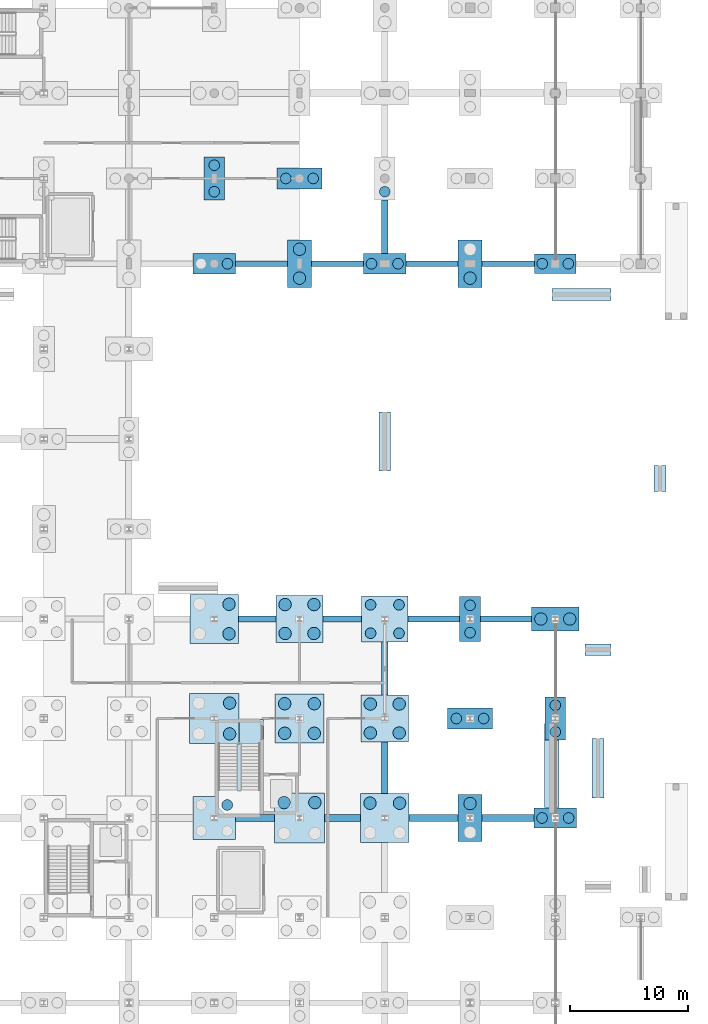
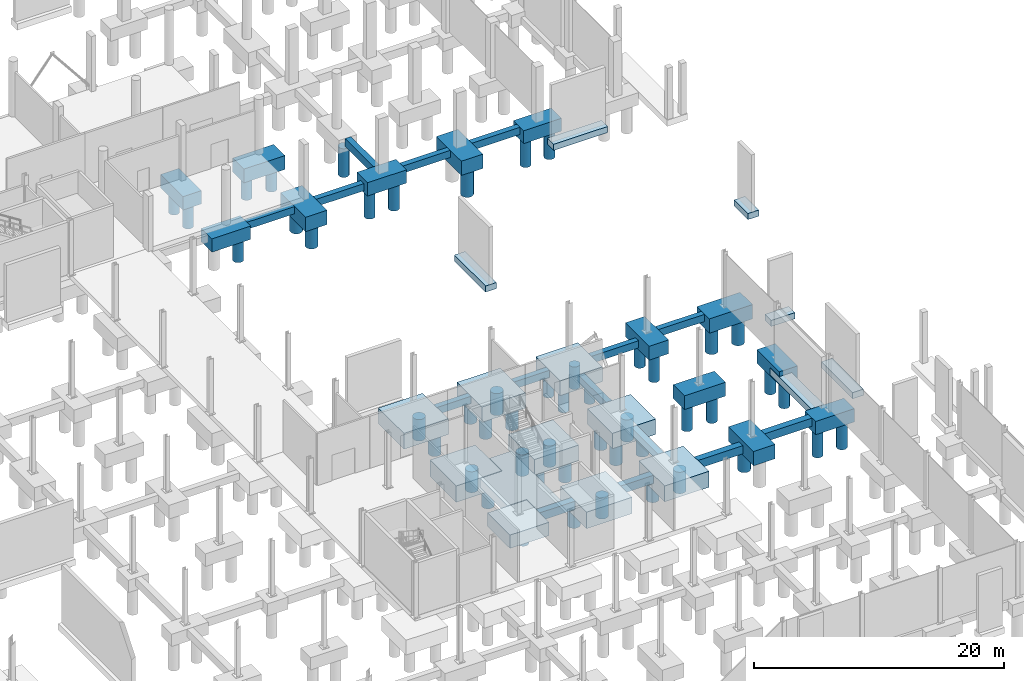
# One storey, part 11 of 61: 49 piles, 44 footings.
"""IFC4 building model written with IfcOpenShell, lengths in metres."""

import ifcopenshell
import ifcopenshell.guid

model = None  # the IFC model being written
_history = None  # IfcOwnerHistory: only IFC2X3 demands one
_inside = {}  # id of a spatial element -> (the spatial element, [elements in it])
_under = {}  # id of a project, library or spatial element -> (it, [spatial elements below it])
_declared = {}  # id of a project -> (the project, [libraries it declares])
_typed = {}  # id of a type object -> (the type object, [elements of that type])
_made_of = {}  # id of a material, layer set ... -> (it, [elements and type objects made of it])


def new_model(schema):
    """Start an empty IFC model of exactly this schema.

    Asked for "IFC4X3", IfcOpenShell would pick the latest addendum, in which some entities
    have other attributes; the version numbers below select the first issue.
    IFC2X3 requires an IfcOwnerHistory on every rooted entity: one is made here for all.
    """
    global model, _history
    if schema == "IFC4X3":
        model = ifcopenshell.file(schema_version=(4, 3, 0, 0))
    else:
        model = ifcopenshell.file(schema=schema)
    _inside.clear()
    _under.clear()
    _declared.clear()
    _typed.clear()
    _made_of.clear()
    _history = None
    if model.schema == "IFC2X3":
        org = make("IfcOrganization", Name="unknown")
        user = make(
            "IfcPersonAndOrganization",
            ThePerson=make("IfcPerson", FamilyName="unknown"),
            TheOrganization=org,
        )
        app = make(
            "IfcApplication",
            ApplicationDeveloper=org,
            Version="unknown",
            ApplicationFullName="unknown",
            ApplicationIdentifier="unknown",
        )
        _history = make(
            "IfcOwnerHistory",
            OwningUser=user,
            OwningApplication=app,
            ChangeAction="ADDED",
            CreationDate=0,
        )
    return model


def make(cls, **values):
    """One entity of the class cls with the attributes given. An attribute that is None is left unset."""
    return model.create_entity(
        cls, **{name: value for name, value in values.items() if value is not None}
    )


def rooted(cls, **values):
    """An entity with a GlobalId (a new one), such as an element, a storey or a relation."""
    return make(cls, GlobalId=ifcopenshell.guid.new(), OwnerHistory=_history, **values)


def si_unit(unit_type, name, prefix=None):
    """IfcSIUnit, for example si_unit("LENGTHUNIT", "METRE", prefix="MILLI")."""
    return make("IfcSIUnit", UnitType=unit_type, Prefix=prefix, Name=name)


def assignment(units):
    """IfcUnitAssignment: the units of a project."""
    return None if units is None else make("IfcUnitAssignment", Units=units)


def point(xyz):
    """IfcCartesianPoint."""
    return None if xyz is None else make("IfcCartesianPoint", Coordinates=xyz)


def direction(xyz):
    """IfcDirection."""
    return None if xyz is None else make("IfcDirection", DirectionRatios=xyz)


def frame(location, z_axis=None, x_axis=None):
    """IfcAxis2Placement3D, a coordinate frame: its origin and axes. An axis left out is left unset."""
    return make(
        "IfcAxis2Placement3D",
        Location=point(location),
        Axis=direction(z_axis),
        RefDirection=direction(x_axis),
    )


def frame_2d(location, x_axis=None):
    """IfcAxis2Placement2D, a coordinate frame in the plane: its origin and x axis."""
    return make(
        "IfcAxis2Placement2D", Location=point(location), RefDirection=direction(x_axis)
    )


def origin():
    """The frame at (0, 0, 0) with its axes left unset."""
    return frame((0.0, 0.0, 0.0))


def origin_2d():
    """The frame at (0, 0) in the plane with its x axis left unset."""
    return frame_2d((0.0, 0.0))


def place(relative_to, where):
    """IfcLocalPlacement: puts the frame where relative to a parent placement (None: the world)."""
    return make(
        "IfcLocalPlacement", PlacementRelTo=relative_to, RelativePlacement=where
    )


def context(
    kind, dimensions, precision=None, world=None, true_north=None, identifier=None
):
    """IfcGeometricRepresentationContext, for example the 3D "Model" context."""
    return make(
        "IfcGeometricRepresentationContext",
        ContextIdentifier=identifier,
        ContextType=kind,
        CoordinateSpaceDimension=dimensions,
        Precision=precision,
        WorldCoordinateSystem=world,
        TrueNorth=true_north,
    )


def subcontext(parent, identifier, kind, view, scale=None):
    """IfcGeometricRepresentationSubContext, for example "Body" below "Model"."""
    return make(
        "IfcGeometricRepresentationSubContext",
        ContextIdentifier=identifier,
        ContextType=kind,
        ParentContext=parent,
        TargetScale=scale,
        TargetView=view,
    )


def project(units=None, contexts=None):
    """IfcProject with its units and contexts."""
    return rooted(
        "IfcProject",
        Name="project",
        RepresentationContexts=contexts,
        UnitsInContext=assignment(units),
    )


def spatial(cls, under=None, at=None, **own):
    """A site, building, storey or space (cls), placed at a placement, below another one or the project."""
    s = rooted(cls, ObjectPlacement=at, **own)
    if under is not None:
        _under.setdefault(under.id(), (under, []))[1].append(s)
    return s


def polyline(points):
    """IfcPolyline through the points."""
    return make("IfcPolyline", Points=[point(p) for p in points])


def profile(cls, at=None, kind="AREA", **sizes):
    """A parametric profile (cls). Its sizes go by their IFC names, for example OverallWidth=200.0."""
    return make(cls, ProfileType=kind, Position=at, **sizes)


def rectangle(**sizes):
    """IfcRectangleProfileDef."""
    return profile("IfcRectangleProfileDef", **sizes)


def circle(**sizes):
    """IfcCircleProfileDef."""
    return profile("IfcCircleProfileDef", **sizes)


def outline(outer, holes=None, kind="AREA"):
    """IfcArbitraryClosedProfileDef: a profile drawn as a closed curve; with holes, ...WithVoids."""
    if holes is None:
        return make("IfcArbitraryClosedProfileDef", ProfileType=kind, OuterCurve=outer)
    return make(
        "IfcArbitraryProfileDefWithVoids",
        ProfileType=kind,
        OuterCurve=outer,
        InnerCurves=holes,
    )


def extrude(swept, where, along, depth):
    """IfcExtrudedAreaSolid: the profile swept, set in the frame where, extruded along a direction by depth."""
    return make(
        "IfcExtrudedAreaSolid",
        SweptArea=swept,
        Position=where,
        ExtrudedDirection=direction(along),
        Depth=depth,
    )


def shape(context_of_items, identifier, shape_type, items):
    """IfcShapeRepresentation: the items that make up one representation, for example the "Body"."""
    return make(
        "IfcShapeRepresentation",
        ContextOfItems=context_of_items,
        RepresentationIdentifier=identifier,
        RepresentationType=shape_type,
        Items=items,
    )


def material(Name=None, Category=None):
    """IfcMaterial."""
    return make("IfcMaterial", Name=Name, Category=Category)


def material_profile(
    of_material, cross_section, Name=None, Category=None, Priority=None
):
    """IfcMaterialProfile: a cross section and its material."""
    return make(
        "IfcMaterialProfile",
        Name=Name,
        Material=of_material,
        Profile=cross_section,
        Priority=Priority,
        Category=Category,
    )


def profile_set(profiles, Name=None, composite=None):
    """IfcMaterialProfileSet."""
    return make(
        "IfcMaterialProfileSet",
        Name=Name,
        MaterialProfiles=profiles,
        CompositeProfile=composite,
    )


def made_of(thing, what):
    """Note that an element or type object is made of a material, layer set ...; save() writes the relation."""
    if what is not None:
        _made_of.setdefault(what.id(), (what, []))[1].append(thing)
    return thing


def type_object(cls, material=None, **own):
    """A type object (cls), such as IfcWallType, which elements share."""
    return made_of(rooted(cls, **own), material)


def element(
    cls,
    number,
    at=None,
    inside=None,
    cuts=None,
    type_object=None,
    material=None,
    context=None,
    identifier="Body",
    shape_type=None,
    held_by="IfcProductDefinitionShape",
    body=None,
    shapes=None,
    **own,
):
    """One element of the class cls, such as IfcWall. Its Tag is "e" and its number.

    at: its placement. inside: the storey or other place that contains it. cuts: it is an
    opening in that element (IfcRelVoidsElement). A single representation is given by context,
    identifier, shape_type and body (its items); several are given by shapes. held_by: the class
    of the entity that holds the representations. save() writes the other relations.
    """
    e = rooted(cls, Tag="e%d" % number, ObjectPlacement=at, **own)
    if body is not None:
        shapes = [shape(context, identifier, shape_type, body)]
    if shapes is not None:
        e.Representation = make(held_by, Representations=shapes)
    if inside is not None:
        _inside.setdefault(inside.id(), (inside, []))[1].append(e)
    if cuts is not None:
        rooted(
            "IfcRelVoidsElement", RelatingBuildingElement=cuts, RelatedOpeningElement=e
        )
    if type_object is not None:
        _typed.setdefault(type_object.id(), (type_object, []))[1].append(e)
    return made_of(e, material)


def aggregate(whole, parts):
    """IfcRelAggregates: a whole, such as a stair, and the parts it consists of."""
    return rooted("IfcRelAggregates", RelatingObject=whole, RelatedObjects=parts)


def save(model, path):
    """Write the relations noted so far, then the file.

    IfcRelAggregates (storeys below a building ...), IfcRelContainedInSpatialStructure (elements
    in a storey), IfcRelDefinesByType, IfcRelAssociatesMaterial and IfcRelDeclares: one each for
    every whole, place, type object, material and project.
    """
    for whole, parts in _under.values():
        aggregate(whole, parts)
    for where, things in _inside.values():
        rooted(
            "IfcRelContainedInSpatialStructure",
            RelatedElements=things,
            RelatingStructure=where,
        )
    for kind, things in _typed.values():
        rooted("IfcRelDefinesByType", RelatedObjects=things, RelatingType=kind)
    for what, things in _made_of.values():
        rooted("IfcRelAssociatesMaterial", RelatedObjects=things, RelatingMaterial=what)
    for by, libraries in _declared.values():
        rooted("IfcRelDeclares", RelatingContext=by, RelatedDefinitions=libraries)
    model.write(path)


model = new_model("IFC4")

# Units and contexts
model_context = context("Model", 3, precision=1e-05, world=origin(), true_north=direction((0.0, 1.0)))
body_context = subcontext(model_context, "Body", "Model", "MODEL_VIEW")
ifc_project = project(units=[si_unit("LENGTHUNIT", "METRE"), si_unit("AREAUNIT", "SQUARE_METRE"), si_unit("VOLUMEUNIT", "CUBIC_METRE"), si_unit("PLANEANGLEUNIT", "RADIAN"), si_unit("MASSUNIT", "GRAM", prefix="KILO")], contexts=[model_context])

# Site, building, storey
site_placement = place(None, origin())
site = spatial("IfcSite", under=ifc_project, at=site_placement, CompositionType="ELEMENT")
building_placement = place(site_placement, origin())
building = spatial("IfcBuilding", under=site, at=building_placement, Name="Calvrana Isthmian Art Gallery", CompositionType="ELEMENT")
storey_placement = place(building_placement, frame((0.0, 0.0, -5.39990234375)))
storey = spatial("IfcBuildingStorey", under=building, at=storey_placement, Name="B1", CompositionType="ELEMENT", Elevation=-5.39990234375)

# Footings
ifc_material_1 = material(Name="Concrete C40/50", Category="concrete")
footing_type_1 = type_object("IfcFootingType", Name="FT-MAT-CORE", PredefinedType="PAD_FOOTING", material=ifc_material_1)
footing_1_placement = place(storey_placement, frame((0.0, 0.0, -1.300048828125)))
element("IfcFooting", 1, at=footing_1_placement, inside=storey, type_object=footing_type_1, Name="Core C4 mat footing", PredefinedType="PAD_FOOTING", context=body_context, shape_type="SweptSolid", body=[
    extrude(outline(polyline([(131.3701171875, 38.320068359375), (131.3701171875, 30.080078125), (129.0400390625, 30.080078125), (129.0400390625, 31.840087890625), (127.280029296875, 31.840087890625), (127.280029296875, 36.260009765625), (129.340087890625, 36.260009765625), (129.340087890625, 38.320068359375), (131.3701171875, 38.320068359375)])), origin(), (0.0, 0.0, 1.0), 0.849853515625),
])
ifc_material_2 = material(Name="Concrete C35/45", Category="concrete")
footing_type_2 = type_object("IfcFootingType", Name="FT-PC-170X360X130", PredefinedType="PILE_CAP", material=ifc_material_2)
for number, where, z_axis, x_axis, name in (
    (2, (127.199951171875, 84.0, -1.75), (0.0, 0.0, 1.0), (1.0, 0.0, 0.0), "Pile cap 17/L"),
    (3, (156.0, 38.39990234375, -1.30029296875), (0.0, 0.0, 1.0), (1.0, 0.0, 0.0), "Pile cap 21/F"),
):
    element("IfcFooting", number, at=place(storey_placement, frame(where, z_axis=z_axis, x_axis=x_axis)), inside=storey, type_object=footing_type_2, Name=name, PredefinedType="PILE_CAP", context=body_context, shape_type="SweptSolid", body=[
        extrude(rectangle(XDim=1.699951171875, YDim=3.60009765625, at=origin_2d()), origin(), (0.0, 0.0, 1.0), 1.300048828125),
    ])
footing_type_3 = type_object("IfcFootingType", Name="FT-PC-180X380X135", PredefinedType="PILE_CAP", material=ifc_material_2)
footing_2_placement = place(storey_placement, frame((148.800048828125, 46.800048828125, -1.35009765625), z_axis=(0.0, 0.0, 1.0), x_axis=(1.0, 0.0, 0.0)))
element("IfcFooting", 4, at=footing_2_placement, inside=storey, type_object=footing_type_3, Name="Pile cap 20/G", PredefinedType="PILE_CAP", context=body_context, shape_type="SweptSolid", body=[
    extrude(rectangle(XDim=1.800048828125, YDim=3.800048828125, at=origin_2d()), origin(), (0.0, 0.0, 1.0), 1.35009765625),
])
footing_type_4 = type_object("IfcFootingType", Name="FT-PC-200X400X140", PredefinedType="PILE_CAP", material=ifc_material_2)
for number, where, z_axis, x_axis, name in (
    (5, (134.39990234375, 76.800048828125, -1.85009765625), (0.0, 0.0, 1.0), (1.0, 0.0, 0.0), "Pile cap 18/K"),
    (6, (148.800048828125, 30.0, -1.400146484375), (0.0, 0.0, 1.0), (1.0, 0.0, 0.0), "Pile cap 20/E"),
    (7, (148.800048828125, 76.800048828125, -1.400146484375), (0.0, 0.0, 1.0), (1.0, 0.0, 0.0), "Pile cap 20/K"),
):
    element("IfcFooting", number, at=place(storey_placement, frame(where, z_axis=z_axis, x_axis=x_axis)), inside=storey, type_object=footing_type_4, Name=name, PredefinedType="PILE_CAP", context=body_context, shape_type="SweptSolid", body=[
        extrude(rectangle(XDim=2.0, YDim=4.0, at=origin_2d()), origin(), (0.0, 0.0, 1.0), 1.39990234375),
    ])
footing_type_5 = type_object("IfcFootingType", Name="FT-PC-350X165X125", PredefinedType="PILE_CAP", material=ifc_material_2)
footing_3_placement = place(storey_placement, frame((156.0, 76.800048828125, -1.25), z_axis=(0.0, 0.0, 1.0), x_axis=(1.0, 0.0, 0.0)))
element("IfcFooting", 8, at=footing_3_placement, inside=storey, type_object=footing_type_5, Name="Pile cap 21/K", PredefinedType="PILE_CAP", context=body_context, shape_type="SweptSolid", body=[
    extrude(rectangle(XDim=3.5, YDim=1.64990234375, at=origin_2d()), origin(), (0.0, 0.0, 1.0), 1.25),
])
footing_type_6 = type_object("IfcFootingType", Name="FT-PC-360X170X130", PredefinedType="PILE_CAP", material=ifc_material_2)
for number, where, z_axis, x_axis, name in (
    (9, (127.199951171875, 76.800048828125, -1.75), (0.0, 0.0, 1.0), (1.0, 0.0, 0.0), "Pile cap 17/K"),
    (10, (141.60009765625, 76.800048828125, -1.30029296875), (0.0, 0.0, 1.0), (1.0, 0.0, 0.0), "Pile cap 19/K"),
    (11, (156.0, 30.0, -1.30029296875), (0.0, 0.0, 1.0), (1.0, 0.0, 0.0), "Pile cap 21/E"),
):
    element("IfcFooting", number, at=place(storey_placement, frame(where, z_axis=z_axis, x_axis=x_axis)), inside=storey, type_object=footing_type_6, Name=name, PredefinedType="PILE_CAP", context=body_context, shape_type="SweptSolid", body=[
        extrude(rectangle(XDim=3.60009765625, YDim=1.699951171875, at=origin_2d()), origin(), (0.0, 0.0, 1.0), 1.300048828125),
    ])
footing_type_7 = type_object("IfcFootingType", Name="FT-PC-360X360X130", PredefinedType="PILE_CAP", material=ifc_material_2)
footing_4_placement = place(storey_placement, frame((127.199951171875, 30.0, -1.75), z_axis=(0.0, 0.0, 1.0), x_axis=(1.0, 0.0, 0.0)))
element("IfcFooting", 12, at=footing_4_placement, inside=storey, type_object=footing_type_7, Name="Pile cap 17/E", PredefinedType="PILE_CAP", context=body_context, shape_type="SweptSolid", body=[
    extrude(rectangle(XDim=3.60009765625, YDim=3.60009765625, at=origin_2d()), origin(), (0.0, 0.0, 1.0), 1.300048828125),
])
footing_type_8 = type_object("IfcFootingType", Name="FT-PC-380X180X135", PredefinedType="PILE_CAP", material=ifc_material_2)
for number, where, z_axis, x_axis, name in (
    (13, (134.39990234375, 84.0, -1.800048828125), (0.0, 0.0, 1.0), (1.0, 0.0, 0.0), "Pile cap 18/L"),
    (14, (148.800048828125, 38.39990234375, -1.35009765625), (0.0, 0.0, 1.0), (1.0, 0.0, 0.0), "Pile cap 20/F"),
):
    element("IfcFooting", number, at=place(storey_placement, frame(where, z_axis=z_axis, x_axis=x_axis)), inside=storey, type_object=footing_type_8, Name=name, PredefinedType="PILE_CAP", context=body_context, shape_type="SweptSolid", body=[
        extrude(rectangle(XDim=3.800048828125, YDim=1.800048828125, at=origin_2d()), origin(), (0.0, 0.0, 1.0), 1.35009765625),
    ])
footing_type_9 = type_object("IfcFootingType", Name="FT-PC-390X390X145", PredefinedType="PILE_CAP", material=ifc_material_2)
footing_5_placement = place(storey_placement, frame((141.60009765625, 46.800048828125, -1.89990234375), z_axis=(0.0, 0.0, 1.0), x_axis=(1.0, 0.0, 0.0)))
element("IfcFooting", 15, at=footing_5_placement, inside=storey, type_object=footing_type_9, Name="Pile cap 19/G", PredefinedType="PILE_CAP", context=body_context, shape_type="SweptSolid", body=[
    extrude(rectangle(XDim=3.89990234375, YDim=3.89990234375, at=origin_2d()), origin(), (0.0, 0.0, 1.0), 1.449951171875),
])
footing_type_10 = type_object("IfcFootingType", Name="FT-PC-400X200X140", PredefinedType="PILE_CAP", material=ifc_material_2)
footing_6_placement = place(storey_placement, frame((156.0, 46.800048828125, -1.400146484375), z_axis=(0.0, 0.0, 1.0), x_axis=(1.0, 0.0, 0.0)))
element("IfcFooting", 16, at=footing_6_placement, inside=storey, type_object=footing_type_10, Name="Pile cap 21/G", PredefinedType="PILE_CAP", context=body_context, shape_type="SweptSolid", body=[
    extrude(rectangle(XDim=4.0, YDim=2.0, at=origin_2d()), origin(), (0.0, 0.0, 1.0), 1.39990234375),
])
footing_type_11 = type_object("IfcFootingType", Name="FT-PC-400X400X150", PredefinedType="PILE_CAP", material=ifc_material_2)
for number, where, z_axis, x_axis, name in (
    (17, (134.39990234375, 46.800048828125, -1.9501953125), (0.0, 0.0, 1.0), (1.0, 0.0, 0.0), "Pile cap 18/G"),
    (18, (141.60009765625, 38.39990234375, -1.9501953125), (0.0, 0.0, 1.0), (1.0, 0.0, 0.0), "Pile cap 19/F"),
):
    element("IfcFooting", number, at=place(storey_placement, frame(where, z_axis=z_axis, x_axis=x_axis)), inside=storey, type_object=footing_type_11, Name=name, PredefinedType="PILE_CAP", context=body_context, shape_type="SweptSolid", body=[
        extrude(rectangle(XDim=4.0, YDim=4.0, at=origin_2d()), origin(), (0.0, 0.0, 1.0), 1.5),
    ])
footing_type_12 = type_object("IfcFootingType", Name="FT-PC-410X410X155", PredefinedType="PILE_CAP", material=ifc_material_2)
for number, where, z_axis, x_axis, name in (
    (19, (127.199951171875, 46.800048828125, -2.0), (0.0, 0.0, 1.0), (1.0, 0.0, 0.0), "Pile cap 17/G"),
    (20, (134.39990234375, 38.39990234375, -2.0), (0.0, 0.0, 1.0), (1.0, 0.0, 0.0), "Pile cap 18/F"),
    (21, (141.60009765625, 30.0, -2.0), (0.0, 0.0, 1.0), (1.0, 0.0, 0.0), "Pile cap 19/E"),
):
    element("IfcFooting", number, at=place(storey_placement, frame(where, z_axis=z_axis, x_axis=x_axis)), inside=storey, type_object=footing_type_12, Name=name, PredefinedType="PILE_CAP", context=body_context, shape_type="SweptSolid", body=[
        extrude(rectangle(XDim=4.10009765625, YDim=4.10009765625, at=origin_2d()), origin(), (0.0, 0.0, 1.0), 1.550048828125),
    ])
footing_type_13 = type_object("IfcFootingType", Name="FT-PC-420X420X160", PredefinedType="PILE_CAP", material=ifc_material_2)
for number, where, z_axis, x_axis, name in (
    (22, (127.199951171875, 38.39990234375, -2.050048828125), (0.0, 0.0, 1.0), (1.0, 0.0, 0.0), "Pile cap 17/F"),
    (23, (134.39990234375, 30.0, -2.050048828125), (0.0, 0.0, 1.0), (1.0, 0.0, 0.0), "Pile cap 18/E"),
):
    element("IfcFooting", number, at=place(storey_placement, frame(where, z_axis=z_axis, x_axis=x_axis)), inside=storey, type_object=footing_type_13, Name=name, PredefinedType="PILE_CAP", context=body_context, shape_type="SweptSolid", body=[
        extrude(rectangle(XDim=4.199951171875, YDim=4.199951171875, at=origin_2d()), origin(), (0.0, 0.0, 1.0), 1.60009765625),
    ])
footing_type_14 = type_object("IfcFootingType", Name="FT-SF-1000X600", PredefinedType="STRIP_FOOTING", material=ifc_material_2)
footing_7_placement = place(storey_placement, frame((0.0, 0.0, -1.050048828125)))
element("IfcFooting", 24, at=footing_7_placement, inside=storey, type_object=footing_type_14, Name="Apron grade wall SLB_APR_ECORT-B strip footing", PredefinedType="STRIP_FOOTING", context=body_context, shape_type="SweptSolid", body=[
    extrude(outline(polyline([(155.699951171875, 73.699951171875), (160.699951171875, 73.699951171875), (160.699951171875, 74.699951171875), (155.699951171875, 74.699951171875), (155.699951171875, 73.699951171875)])), origin(), (0.0, 0.0, 1.0), 0.599853515625),
])
footing_8_placement = place(storey_placement, frame((0.0, 0.0, -1.050048828125)))
element("IfcFooting", 25, at=footing_8_placement, inside=storey, type_object=footing_type_14, Name="Apron grade wall SLB_APR_ECORT-C strip footing", PredefinedType="STRIP_FOOTING", context=body_context, shape_type="SweptSolid", body=[
    extrude(outline(polyline([(142.10009765625, 59.300048828125), (142.10009765625, 64.300048828125), (141.10009765625, 64.300048828125), (141.10009765625, 59.300048828125), (142.10009765625, 59.300048828125)])), origin(), (0.0, 0.0, 1.0), 0.599853515625),
])
footing_9_placement = place(storey_placement, frame((0.0, 0.0, -1.050048828125)))
element("IfcFooting", 26, at=footing_9_placement, inside=storey, type_object=footing_type_14, Name="Apron grade wall SLB_APR_ECORT_S-B strip footing", PredefinedType="STRIP_FOOTING", context=body_context, shape_type="SweptSolid", body=[
    extrude(outline(polyline([(158.5, 43.699951171875), (160.699951171875, 43.699951171875), (160.699951171875, 44.699951171875), (158.5, 44.699951171875), (158.5, 43.699951171875)])), origin(), (0.0, 0.0, 1.0), 0.599853515625),
])
footing_10_placement = place(storey_placement, frame((0.0, 0.0, -1.050048828125)))
element("IfcFooting", 27, at=footing_10_placement, inside=storey, type_object=footing_type_14, Name="Apron grade wall SLB_APR_ECORT_S-C strip footing", PredefinedType="STRIP_FOOTING", context=body_context, shape_type="SweptSolid", body=[
    extrude(outline(polyline([(160.10009765625, 31.699951171875), (160.10009765625, 36.699951171875), (159.10009765625, 36.699951171875), (159.10009765625, 31.699951171875), (160.10009765625, 31.699951171875)])), origin(), (0.0, 0.0, 1.0), 0.599853515625),
])
footing_11_placement = place(storey_placement, frame((0.0, 0.0, -1.050048828125)))
element("IfcFooting", 28, at=footing_11_placement, inside=storey, type_object=footing_type_14, Name="Apron grade wall SLB_APR_EAST-B strip footing", PredefinedType="STRIP_FOOTING", context=body_context, shape_type="SweptSolid", body=[
    extrude(outline(polyline([(165.35009765625, 57.555908203125), (165.35009765625, 59.756103515625), (164.35009765625, 59.756103515625), (164.35009765625, 57.555908203125), (165.35009765625, 57.555908203125)])), origin(), (0.0, 0.0, 1.0), 0.599853515625),
])
footing_type_15 = type_object("IfcFootingType", Name="FT-SF-1200X650", PredefinedType="STRIP_FOOTING", material=ifc_material_2)
footing_12_placement = place(storey_placement, frame((0.0, 0.0, -1.10009765625)))
element("IfcFooting", 29, at=footing_12_placement, inside=storey, type_object=footing_type_15, Name="Hillside plinth retaining wall RW_B1_EAST_M strip footing", PredefinedType="STRIP_FOOTING", context=body_context, shape_type="SweptSolid", body=[
    extrude(outline(polyline([(155.135009765625, 37.967041015625), (155.135009765625, 36.5849609375), (156.300048828125, 36.5849609375), (156.300048828125, 30.864990234375), (155.10009765625, 30.864990234375), (155.10009765625, 37.967041015625), (155.135009765625, 37.967041015625)])), origin(), (0.0, 0.0, 1.0), 0.64990234375),
])
footing_type_16 = type_object("IfcFootingType", Name="FT-TB-500X700", PredefinedType="FOOTING_BEAM", material=ifc_material_2)
footing_13_placement = place(storey_placement, frame((0.0, 0.0, -1.150146484375)))
element("IfcFooting", 30, at=footing_13_placement, inside=storey, type_object=footing_type_16, Name="Footing tie beam X 16-06", PredefinedType="FOOTING_BEAM", context=body_context, shape_type="SweptSolid", body=[
    extrude(outline(polyline([(129.25, 46.550048828125), (132.39990234375, 46.550048828125), (132.39990234375, 47.050048828125), (129.25, 47.050048828125), (129.25, 46.550048828125)])), origin(), (0.0, 0.0, 1.0), 0.699951171875),
])
footing_14_placement = place(storey_placement, frame((0.0, 0.0, -1.150146484375)))
element("IfcFooting", 31, at=footing_14_placement, inside=storey, type_object=footing_type_16, Name="Footing tie beam X 16-10", PredefinedType="FOOTING_BEAM", context=body_context, shape_type="SweptSolid", body=[
    extrude(outline(polyline([(129.0, 76.550048828125), (133.39990234375, 76.550048828125), (133.39990234375, 77.050048828125), (129.0, 77.050048828125), (129.0, 76.550048828125)])), origin(), (0.0, 0.0, 1.0), 0.699951171875),
])
footing_15_placement = place(storey_placement, frame((0.0, 0.0, -1.150146484375)))
element("IfcFooting", 32, at=footing_15_placement, inside=storey, type_object=footing_type_16, Name="Footing tie beam X 17-06", PredefinedType="FOOTING_BEAM", context=body_context, shape_type="SweptSolid", body=[
    extrude(outline(polyline([(136.39990234375, 46.550048828125), (139.64990234375, 46.550048828125), (139.64990234375, 47.050048828125), (136.39990234375, 47.050048828125), (136.39990234375, 46.550048828125)])), origin(), (0.0, 0.0, 1.0), 0.699951171875),
])
footing_16_placement = place(storey_placement, frame((0.0, 0.0, -1.150146484375)))
element("IfcFooting", 33, at=footing_16_placement, inside=storey, type_object=footing_type_16, Name="Footing tie beam X 17-10", PredefinedType="FOOTING_BEAM", context=body_context, shape_type="SweptSolid", body=[
    extrude(outline(polyline([(135.39990234375, 76.550048828125), (139.800048828125, 76.550048828125), (139.800048828125, 77.050048828125), (135.39990234375, 77.050048828125), (135.39990234375, 76.550048828125)])), origin(), (0.0, 0.0, 1.0), 0.699951171875),
])
footing_17_placement = place(storey_placement, frame((0.0, 0.0, -1.150146484375)))
element("IfcFooting", 34, at=footing_17_placement, inside=storey, type_object=footing_type_16, Name="Footing tie beam X 18-06", PredefinedType="FOOTING_BEAM", context=body_context, shape_type="SweptSolid", body=[
    extrude(outline(polyline([(143.550048828125, 46.550048828125), (147.89990234375, 46.550048828125), (147.89990234375, 47.050048828125), (143.550048828125, 47.050048828125), (143.550048828125, 46.550048828125)])), origin(), (0.0, 0.0, 1.0), 0.699951171875),
])
footing_18_placement = place(storey_placement, frame((0.0, 0.0, -0.7001953125)))
element("IfcFooting", 35, at=footing_18_placement, inside=storey, type_object=footing_type_16, Name="Footing tie beam X 18-10", PredefinedType="FOOTING_BEAM", context=body_context, shape_type="SweptSolid", body=[
    extrude(outline(polyline([(143.39990234375, 76.550048828125), (147.800048828125, 76.550048828125), (147.800048828125, 77.050048828125), (143.39990234375, 77.050048828125), (143.39990234375, 76.550048828125)])), origin(), (0.0, 0.0, 1.0), 0.7001953125),
])
footing_19_placement = place(storey_placement, frame((0.0, 0.0, -0.7001953125)))
element("IfcFooting", 36, at=footing_19_placement, inside=storey, type_object=footing_type_16, Name="Footing tie beam X 19-06", PredefinedType="FOOTING_BEAM", context=body_context, shape_type="SweptSolid", body=[
    extrude(outline(polyline([(149.699951171875, 46.550048828125), (154.0, 46.550048828125), (154.0, 47.050048828125), (149.699951171875, 47.050048828125), (149.699951171875, 46.550048828125)])), origin(), (0.0, 0.0, 1.0), 0.7001953125),
])
footing_20_placement = place(storey_placement, frame((0.0, 0.0, -0.7001953125)))
element("IfcFooting", 37, at=footing_20_placement, inside=storey, type_object=footing_type_16, Name="Footing tie beam X 19-10", PredefinedType="FOOTING_BEAM", context=body_context, shape_type="SweptSolid", body=[
    extrude(outline(polyline([(149.800048828125, 76.550048828125), (154.25, 76.550048828125), (154.25, 77.050048828125), (149.800048828125, 77.050048828125), (149.800048828125, 76.550048828125)])), origin(), (0.0, 0.0, 1.0), 0.7001953125),
])
footing_type_17 = type_object("IfcFootingType", Name="FT-TB-550X750", PredefinedType="FOOTING_BEAM", material=ifc_material_2)
footing_21_placement = place(storey_placement, frame((0.0, 0.0, -1.2001953125)))
element("IfcFooting", 38, at=footing_21_placement, inside=storey, type_object=footing_type_17, Name="Footing tie beam Y 18-04", PredefinedType="FOOTING_BEAM", context=body_context, shape_type="SweptSolid", body=[
    extrude(outline(polyline([(141.324951171875, 32.050048828125), (141.875, 32.050048828125), (141.875, 36.39990234375), (141.324951171875, 36.39990234375), (141.324951171875, 32.050048828125)])), origin(), (0.0, 0.0, 1.0), 0.75),
])
footing_22_placement = place(storey_placement, frame((0.0, 0.0, -1.2001953125)))
element("IfcFooting", 39, at=footing_22_placement, inside=storey, type_object=footing_type_17, Name="Footing tie beam Y 18-05", PredefinedType="FOOTING_BEAM", context=body_context, shape_type="SweptSolid", body=[
    extrude(outline(polyline([(141.324951171875, 40.39990234375), (141.875, 40.39990234375), (141.875, 44.85009765625), (141.324951171875, 44.85009765625), (141.324951171875, 40.39990234375)])), origin(), (0.0, 0.0, 1.0), 0.75),
])
footing_23_placement = place(storey_placement, frame((0.0, 0.0, -0.75)))
element("IfcFooting", 40, at=footing_23_placement, inside=storey, type_object=footing_type_17, Name="Footing tie beam Y 18-10", PredefinedType="FOOTING_BEAM", context=body_context, shape_type="SweptSolid", body=[
    extrude(outline(polyline([(141.324951171875, 77.64990234375), (141.875, 77.64990234375), (141.875, 82.199951171875), (141.324951171875, 82.199951171875), (141.324951171875, 77.64990234375)])), origin(), (0.0, 0.0, 1.0), 0.75),
])
footing_type_18 = type_object("IfcFootingType", Name="FT-TB-600X800", PredefinedType="FOOTING_BEAM", material=ifc_material_2)
footing_24_placement = place(storey_placement, frame((0.0, 0.0, -1.25)))
element("IfcFooting", 41, at=footing_24_placement, inside=storey, type_object=footing_type_18, Name="Footing tie beam X 16-04", PredefinedType="FOOTING_BEAM", context=body_context, shape_type="SweptSolid", body=[
    extrude(outline(polyline([(129.0, 29.699951171875), (132.300048828125, 29.699951171875), (132.300048828125, 30.300048828125), (129.0, 30.300048828125), (129.0, 29.699951171875)])), origin(), (0.0, 0.0, 1.0), 0.7998046875),
])
footing_25_placement = place(storey_placement, frame((0.0, 0.0, -1.25)))
element("IfcFooting", 42, at=footing_25_placement, inside=storey, type_object=footing_type_18, Name="Footing tie beam X 17-04", PredefinedType="FOOTING_BEAM", context=body_context, shape_type="SweptSolid", body=[
    extrude(outline(polyline([(136.5, 29.699951171875), (139.550048828125, 29.699951171875), (139.550048828125, 30.300048828125), (136.5, 30.300048828125), (136.5, 29.699951171875)])), origin(), (0.0, 0.0, 1.0), 0.7998046875),
])
footing_26_placement = place(storey_placement, frame((0.0, 0.0, -1.25)))
element("IfcFooting", 43, at=footing_26_placement, inside=storey, type_object=footing_type_18, Name="Footing tie beam X 18-04", PredefinedType="FOOTING_BEAM", context=body_context, shape_type="SweptSolid", body=[
    extrude(outline(polyline([(143.64990234375, 29.699951171875), (147.800048828125, 29.699951171875), (147.800048828125, 30.300048828125), (143.64990234375, 30.300048828125), (143.64990234375, 29.699951171875)])), origin(), (0.0, 0.0, 1.0), 0.7998046875),
])
footing_27_placement = place(storey_placement, frame((0.0, 0.0, -0.800048828125)))
element("IfcFooting", 44, at=footing_27_placement, inside=storey, type_object=footing_type_18, Name="Footing tie beam X 19-04", PredefinedType="FOOTING_BEAM", context=body_context, shape_type="SweptSolid", body=[
    extrude(outline(polyline([(149.800048828125, 29.699951171875), (154.199951171875, 29.699951171875), (154.199951171875, 30.300048828125), (149.800048828125, 30.300048828125), (149.800048828125, 29.699951171875)])), origin(), (0.0, 0.0, 1.0), 0.800048828125),
])

# Piles
ifc_material_profile_1 = material_profile(ifc_material_2, circle(Radius=0.52490234375, at=origin_2d()), Name="PILE1050D")
ifc_profile_set_1 = profile_set([ifc_material_profile_1], Name="Concrete C35/45")
pile_type_1 = type_object("IfcPileType", Name="PILE-D1050", PredefinedType="BORED", material=ifc_profile_set_1)
for number, where, z_axis, x_axis, name in (
    (45, (128.5, 37.10009765625, -1.9501953125), (0.0, 0.0, -1.0), (1.0, 0.0, 0.0), "Bored pile PL-422"),
    (46, (128.5, 39.699951171875, -1.9501953125), (0.0, 0.0, -1.0), (1.0, 0.0, 0.0), "Bored pile PL-424"),
):
    element("IfcPile", number, at=place(storey_placement, frame(where, z_axis=z_axis, x_axis=x_axis)), inside=storey, type_object=pile_type_1, Name=name, PredefinedType="BORED", context=body_context, shape_type="SweptSolid", body=[
        extrude(circle(Radius=0.52490234375, at=origin_2d()), origin(), (0.0, 0.0, 1.0), 2.050048828125),
    ])
for number, where, z_axis, x_axis, name in (
    (47, (128.449951171875, 45.550048828125, -1.900146484375), (0.0, 0.0, -1.0), (1.0, 0.0, 0.0), "Bored pile PL-426"),
    (48, (128.449951171875, 48.050048828125, -1.900146484375), (0.0, 0.0, -1.0), (1.0, 0.0, 0.0), "Bored pile PL-428"),
):
    element("IfcPile", number, at=place(storey_placement, frame(where, z_axis=z_axis, x_axis=x_axis)), inside=storey, type_object=pile_type_1, Name=name, PredefinedType="BORED", context=body_context, shape_type="SweptSolid", body=[
        extrude(circle(Radius=0.52490234375, at=origin_2d()), origin(), (0.0, 0.0, 1.0), 2.10009765625),
    ])
for number, where, z_axis, x_axis, name in (
    (49, (133.10009765625, 31.300048828125, -1.9501953125), (0.0, 0.0, -1.0), (1.0, 0.0, 0.0), "Bored pile PL-448"),
    (50, (135.699951171875, 31.300048828125, -1.9501953125), (0.0, 0.0, -1.0), (1.0, 0.0, 0.0), "Bored pile PL-449"),
):
    element("IfcPile", number, at=place(storey_placement, frame(where, z_axis=z_axis, x_axis=x_axis)), inside=storey, type_object=pile_type_1, Name=name, PredefinedType="BORED", context=body_context, shape_type="SweptSolid", body=[
        extrude(circle(Radius=0.52490234375, at=origin_2d()), origin(), (0.0, 0.0, 1.0), 2.050048828125),
    ])
for number, where, z_axis, x_axis, name in (
    (51, (133.14990234375, 37.14990234375, -1.900146484375), (0.0, 0.0, -1.0), (1.0, 0.0, 0.0), "Bored pile PL-450"),
    (52, (135.64990234375, 37.14990234375, -1.900146484375), (0.0, 0.0, -1.0), (1.0, 0.0, 0.0), "Bored pile PL-451"),
    (53, (133.14990234375, 39.64990234375, -1.900146484375), (0.0, 0.0, -1.0), (1.0, 0.0, 0.0), "Bored pile PL-452"),
    (54, (135.64990234375, 39.64990234375, -1.900146484375), (0.0, 0.0, -1.0), (1.0, 0.0, 0.0), "Bored pile PL-453"),
):
    element("IfcPile", number, at=place(storey_placement, frame(where, z_axis=z_axis, x_axis=x_axis)), inside=storey, type_object=pile_type_1, Name=name, PredefinedType="BORED", context=body_context, shape_type="SweptSolid", body=[
        extrude(circle(Radius=0.52490234375, at=origin_2d()), origin(), (0.0, 0.0, 1.0), 2.10009765625),
    ])
for number, where, z_axis, x_axis, name in (
    (55, (133.179931640625, 45.580078125, -1.85009765625), (0.0, 0.0, -1.0), (1.0, 0.0, 0.0), "Bored pile PL-454"),
    (56, (135.6201171875, 45.580078125, -1.85009765625), (0.0, 0.0, -1.0), (1.0, 0.0, 0.0), "Bored pile PL-455"),
    (57, (133.179931640625, 48.02001953125, -1.85009765625), (0.0, 0.0, -1.0), (1.0, 0.0, 0.0), "Bored pile PL-456"),
    (58, (135.6201171875, 48.02001953125, -1.85009765625), (0.0, 0.0, -1.0), (1.0, 0.0, 0.0), "Bored pile PL-457"),
):
    element("IfcPile", number, at=place(storey_placement, frame(where, z_axis=z_axis, x_axis=x_axis)), inside=storey, type_object=pile_type_1, Name=name, PredefinedType="BORED", context=body_context, shape_type="SweptSolid", body=[
        extrude(circle(Radius=0.52490234375, at=origin_2d()), origin(), (0.0, 0.0, 1.0), 2.14990234375),
    ])
for number, where, z_axis, x_axis, name in (
    (59, (134.39990234375, 75.580078125, -1.75), (0.0, 0.0, -1.0), (1.0, 0.0, 0.0), "Bored pile PL-458"),
    (60, (134.39990234375, 78.02001953125, -1.75), (0.0, 0.0, -1.0), (1.0, 0.0, 0.0), "Bored pile PL-459"),
):
    element("IfcPile", number, at=place(storey_placement, frame(where, z_axis=z_axis, x_axis=x_axis)), inside=storey, type_object=pile_type_1, Name=name, PredefinedType="BORED", context=body_context, shape_type="SweptSolid", body=[
        extrude(circle(Radius=0.52490234375, at=origin_2d()), origin(), (0.0, 0.0, 1.0), 2.25),
    ])
for number, where, z_axis, x_axis, name in (
    (61, (140.35009765625, 31.25, -1.900146484375), (0.0, 0.0, -1.0), (1.0, 0.0, 0.0), "Bored pile PL-481"),
    (62, (142.85009765625, 31.25, -1.900146484375), (0.0, 0.0, -1.0), (1.0, 0.0, 0.0), "Bored pile PL-482"),
):
    element("IfcPile", number, at=place(storey_placement, frame(where, z_axis=z_axis, x_axis=x_axis)), inside=storey, type_object=pile_type_1, Name=name, PredefinedType="BORED", context=body_context, shape_type="SweptSolid", body=[
        extrude(circle(Radius=0.52490234375, at=origin_2d()), origin(), (0.0, 0.0, 1.0), 2.10009765625),
    ])
for number, where, z_axis, x_axis, name in (
    (63, (140.3798828125, 37.179931640625, -1.85009765625), (0.0, 0.0, -1.0), (1.0, 0.0, 0.0), "Bored pile PL-483"),
    (64, (142.820068359375, 37.179931640625, -1.85009765625), (0.0, 0.0, -1.0), (1.0, 0.0, 0.0), "Bored pile PL-484"),
    (65, (140.3798828125, 39.6201171875, -1.85009765625), (0.0, 0.0, -1.0), (1.0, 0.0, 0.0), "Bored pile PL-485"),
    (66, (142.820068359375, 39.6201171875, -1.85009765625), (0.0, 0.0, -1.0), (1.0, 0.0, 0.0), "Bored pile PL-486"),
):
    element("IfcPile", number, at=place(storey_placement, frame(where, z_axis=z_axis, x_axis=x_axis)), inside=storey, type_object=pile_type_1, Name=name, PredefinedType="BORED", context=body_context, shape_type="SweptSolid", body=[
        extrude(circle(Radius=0.52490234375, at=origin_2d()), origin(), (0.0, 0.0, 1.0), 2.14990234375),
    ])
for number, where, z_axis, x_axis, name in (
    (67, (148.800048828125, 31.219970703125, -1.300048828125), (0.0, 0.0, -1.0), (1.0, 0.0, 0.0), "Bored pile PL-511"),
    (68, (148.800048828125, 75.580078125, -1.300048828125), (0.0, 0.0, -1.0), (1.0, 0.0, 0.0), "Bored pile PL-516"),
    (69, (154.780029296875, 46.800048828125, -1.300048828125), (0.0, 0.0, -1.0), (1.0, 0.0, 0.0), "Bored pile PL-539"),
    (70, (157.219970703125, 46.800048828125, -1.300048828125), (0.0, 0.0, -1.0), (1.0, 0.0, 0.0), "Bored pile PL-540"),
):
    element("IfcPile", number, at=place(storey_placement, frame(where, z_axis=z_axis, x_axis=x_axis)), inside=storey, type_object=pile_type_1, Name=name, PredefinedType="BORED", context=body_context, shape_type="SweptSolid", body=[
        extrude(circle(Radius=0.52490234375, at=origin_2d()), origin(), (0.0, 0.0, 1.0), 2.699951171875),
    ])
ifc_material_profile_2 = material_profile(ifc_material_2, circle(Radius=0.449951171875, at=origin_2d()), Name="PILE900D")
ifc_profile_set_2 = profile_set([ifc_material_profile_2], Name="Concrete C35/45")
pile_type_2 = type_object("IfcPileType", Name="PILE-D900", PredefinedType="BORED", material=ifc_profile_set_2)
for number, where, z_axis, x_axis, name in (
    (71, (128.300048828125, 31.10009765625, -1.650146484375), (0.0, 0.0, -1.0), (1.0, 0.0, 0.0), "Bored pile PL-420"),
    (72, (128.320068359375, 76.800048828125, -1.650146484375), (0.0, 0.0, -1.0), (1.0, 0.0, 0.0), "Bored pile PL-430"),
    (73, (127.199951171875, 82.8798828125, -1.650146484375), (0.0, 0.0, -1.0), (1.0, 0.0, 0.0), "Bored pile PL-431"),
    (74, (127.199951171875, 85.1201171875, -1.650146484375), (0.0, 0.0, -1.0), (1.0, 0.0, 0.0), "Bored pile PL-432"),
):
    element("IfcPile", number, at=place(storey_placement, frame(where, z_axis=z_axis, x_axis=x_axis)), inside=storey, type_object=pile_type_2, Name=name, PredefinedType="BORED", context=body_context, shape_type="SweptSolid", body=[
        extrude(circle(Radius=0.449951171875, at=origin_2d()), origin(), (0.0, 0.0, 1.0), 2.35009765625),
    ])
for number, where, z_axis, x_axis, name in (
    (75, (133.25, 84.0, -1.7001953125), (0.0, 0.0, -1.0), (1.0, 0.0, 0.0), "Bored pile PL-460"),
    (76, (135.550048828125, 84.0, -1.7001953125), (0.0, 0.0, -1.0), (1.0, 0.0, 0.0), "Bored pile PL-461"),
):
    element("IfcPile", number, at=place(storey_placement, frame(where, z_axis=z_axis, x_axis=x_axis)), inside=storey, type_object=pile_type_2, Name=name, PredefinedType="BORED", context=body_context, shape_type="SweptSolid", body=[
        extrude(circle(Radius=0.449951171875, at=origin_2d()), origin(), (0.0, 0.0, 1.0), 2.300048828125),
    ])
for number, where, z_axis, x_axis, name in (
    (77, (140.39990234375, 45.60009765625, -1.800048828125), (0.0, 0.0, -1.0), (1.0, 0.0, 0.0), "Bored pile PL-487"),
    (78, (142.800048828125, 45.60009765625, -1.800048828125), (0.0, 0.0, -1.0), (1.0, 0.0, 0.0), "Bored pile PL-488"),
    (79, (140.39990234375, 48.0, -1.800048828125), (0.0, 0.0, -1.0), (1.0, 0.0, 0.0), "Bored pile PL-489"),
    (80, (142.800048828125, 48.0, -1.800048828125), (0.0, 0.0, -1.0), (1.0, 0.0, 0.0), "Bored pile PL-490"),
):
    element("IfcPile", number, at=place(storey_placement, frame(where, z_axis=z_axis, x_axis=x_axis)), inside=storey, type_object=pile_type_2, Name=name, PredefinedType="BORED", context=body_context, shape_type="SweptSolid", body=[
        extrude(circle(Radius=0.449951171875, at=origin_2d()), origin(), (0.0, 0.0, 1.0), 2.199951171875),
    ])
for number, where, z_axis, x_axis, name in (
    (81, (140.47998046875, 76.800048828125, -1.2001953125), (0.0, 0.0, -1.0), (1.0, 0.0, 0.0), "Bored pile PL-491"),
    (82, (142.719970703125, 76.800048828125, -1.2001953125), (0.0, 0.0, -1.0), (1.0, 0.0, 0.0), "Bored pile PL-492"),
    (83, (141.60009765625, 82.8798828125, -1.2001953125), (0.0, 0.0, -1.0), (1.0, 0.0, 0.0), "Bored pile PL-493"),
):
    element("IfcPile", number, at=place(storey_placement, frame(where, z_axis=z_axis, x_axis=x_axis)), inside=storey, type_object=pile_type_2, Name=name, PredefinedType="BORED", context=body_context, shape_type="SweptSolid", body=[
        extrude(circle(Radius=0.449951171875, at=origin_2d()), origin(), (0.0, 0.0, 1.0), 2.800048828125),
    ])
for number, where, z_axis, x_axis, name in (
    (84, (147.64990234375, 38.39990234375, -1.25), (0.0, 0.0, -1.0), (1.0, 0.0, 0.0), "Bored pile PL-512"),
    (85, (149.949951171875, 38.39990234375, -1.25), (0.0, 0.0, -1.0), (1.0, 0.0, 0.0), "Bored pile PL-513"),
    (86, (148.800048828125, 45.64990234375, -1.25), (0.0, 0.0, -1.0), (1.0, 0.0, 0.0), "Bored pile PL-514"),
    (87, (148.800048828125, 47.949951171875, -1.25), (0.0, 0.0, -1.0), (1.0, 0.0, 0.0), "Bored pile PL-515"),
):
    element("IfcPile", number, at=place(storey_placement, frame(where, z_axis=z_axis, x_axis=x_axis)), inside=storey, type_object=pile_type_2, Name=name, PredefinedType="BORED", context=body_context, shape_type="SweptSolid", body=[
        extrude(circle(Radius=0.449951171875, at=origin_2d()), origin(), (0.0, 0.0, 1.0), 2.75),
    ])
for number, where, z_axis, x_axis, name in (
    (88, (154.8798828125, 30.0, -1.2001953125), (0.0, 0.0, -1.0), (1.0, 0.0, 0.0), "Bored pile PL-535"),
    (89, (157.1201171875, 30.0, -1.2001953125), (0.0, 0.0, -1.0), (1.0, 0.0, 0.0), "Bored pile PL-536"),
    (90, (156.0, 37.280029296875, -1.2001953125), (0.0, 0.0, -1.0), (1.0, 0.0, 0.0), "Bored pile PL-537"),
    (91, (156.0, 39.52001953125, -1.2001953125), (0.0, 0.0, -1.0), (1.0, 0.0, 0.0), "Bored pile PL-538"),
):
    element("IfcPile", number, at=place(storey_placement, frame(where, z_axis=z_axis, x_axis=x_axis)), inside=storey, type_object=pile_type_2, Name=name, PredefinedType="BORED", context=body_context, shape_type="SweptSolid", body=[
        extrude(circle(Radius=0.449951171875, at=origin_2d()), origin(), (0.0, 0.0, 1.0), 2.800048828125),
    ])
for number, where, z_axis, x_axis, name in (
    (92, (154.89990234375, 76.800048828125, -1.150146484375), (0.0, 0.0, -1.0), (1.0, 0.0, 0.0), "Bored pile PL-541"),
    (93, (157.10009765625, 76.800048828125, -1.150146484375), (0.0, 0.0, -1.0), (1.0, 0.0, 0.0), "Bored pile PL-542"),
):
    element("IfcPile", number, at=place(storey_placement, frame(where, z_axis=z_axis, x_axis=x_axis)), inside=storey, type_object=pile_type_2, Name=name, PredefinedType="BORED", context=body_context, shape_type="SweptSolid", body=[
        extrude(circle(Radius=0.449951171875, at=origin_2d()), origin(), (0.0, 0.0, 1.0), 2.85009765625),
    ])

save(model, "model.ifc")
